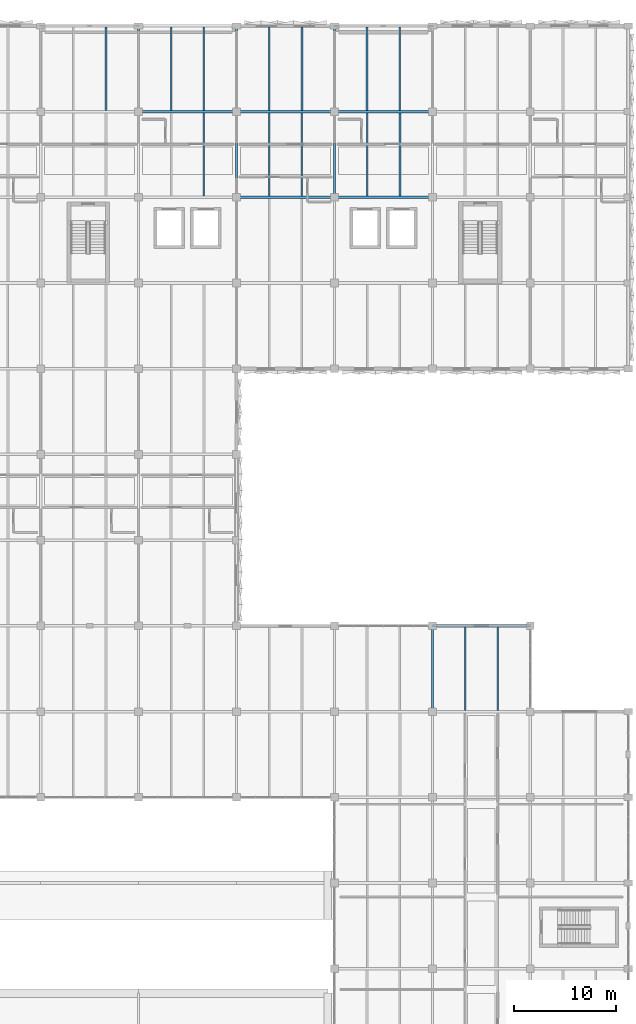
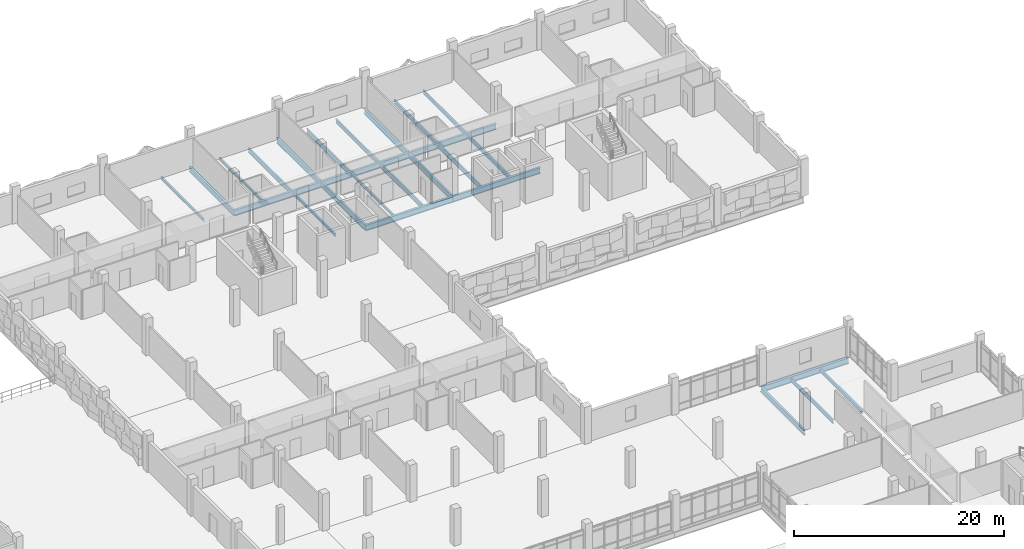
# One storey, part 36 of 86: 26 beams.
"""IFC4 building model written with IfcOpenShell, lengths in metres."""

from ifc_helpers import new_model, si_unit, direction, frame, origin, origin_2d, place, context, subcontext, project, spatial, i_section, extrude, material, material_profile, profile_set, type_object, element, save


model = new_model("IFC4")

# Units and contexts
model_context = context("Model", 3, precision=1e-05, world=origin(), true_north=direction((0.0, 1.0)))
body_context = subcontext(model_context, "Body", "Model", "MODEL_VIEW")
ifc_project = project(units=[si_unit("LENGTHUNIT", "METRE"), si_unit("AREAUNIT", "SQUARE_METRE"), si_unit("VOLUMEUNIT", "CUBIC_METRE"), si_unit("PLANEANGLEUNIT", "RADIAN"), si_unit("MASSUNIT", "GRAM", prefix="KILO")], contexts=[model_context])

# Site, building, storey
site_placement = place(None, origin())
site = spatial("IfcSite", under=ifc_project, at=site_placement, CompositionType="ELEMENT")
building_placement = place(site_placement, origin())
building = spatial("IfcBuilding", under=site, at=building_placement, Name="Oolite Switchyard Hospital", CompositionType="ELEMENT")
storey_placement = place(building_placement, frame((0.0, 0.0, 13.5)))
storey = spatial("IfcBuildingStorey", under=building, at=storey_placement, Name="L03", CompositionType="ELEMENT", Elevation=13.5)

# Beams
ifc_material = material(Name="Steel ASTM A992 Grade 50", Category="steel")
ifc_material_profile_1 = material_profile(ifc_material, i_section(OverallWidth=0.1650390625, OverallDepth=0.31005859375, WebThickness=0.006103515625, FlangeThickness=0.010009765625, at=origin_2d()), Name="W12X26")
ifc_profile_set_1 = profile_set([ifc_material_profile_1], Name="Steel ASTM A992 Grade 50")
beam_type_1 = type_object("IfcBeamType", Name="BM-W12X26", PredefinedType="JOIST", material=ifc_profile_set_1)
beam_1_placement = place(storey_placement, frame((160.0, 126.126953125, -0.429931640625), z_axis=(0.0, 1.0, 0.0), x_axis=(-1.0, 0.0, 0.0)))
element("IfcBeam", 1, at=beam_1_placement, inside=storey, type_object=beam_type_1, Name="L03 Secondary Steel Joist 2657", PredefinedType="JOIST", context=body_context, shape_type="SweptSolid", body=[
    extrude(i_section(OverallWidth=0.1650390625, OverallDepth=0.31005859375, WebThickness=0.006103515625, FlangeThickness=0.010009765625, at=origin_2d()), origin(), (0.0, 0.0, 1.0), 8.14013671875),
])
beam_2_placement = place(storey_placement, frame((169.60009765625, 117.72705078125, -0.429931640625), z_axis=(0.0, 1.0, 0.0), x_axis=(-1.0, 0.0, 0.0)))
element("IfcBeam", 2, at=beam_2_placement, inside=storey, type_object=beam_type_1, Name="L03 Secondary Steel Joist 2675", PredefinedType="JOIST", context=body_context, shape_type="SweptSolid", body=[
    extrude(i_section(OverallWidth=0.1650390625, OverallDepth=0.31005859375, WebThickness=0.006103515625, FlangeThickness=0.010009765625, at=origin_2d()), origin(), (0.0, 0.0, 1.0), 8.14599609375),
])
beam_3_placement = place(storey_placement, frame((166.39990234375, 126.126953125, -0.429931640625), z_axis=(0.0, 1.0, 0.0), x_axis=(-1.0, 0.0, 0.0)))
element("IfcBeam", 3, at=beam_3_placement, inside=storey, type_object=beam_type_1, Name="L03 Secondary Steel Joist 2676", PredefinedType="JOIST", context=body_context, shape_type="SweptSolid", body=[
    extrude(i_section(OverallWidth=0.1650390625, OverallDepth=0.31005859375, WebThickness=0.006103515625, FlangeThickness=0.010009765625, at=origin_2d()), origin(), (0.0, 0.0, 1.0), 8.14013671875),
])
beam_4_placement = place(storey_placement, frame((176.0, 117.72705078125, -0.429931640625), z_axis=(0.0, 1.0, 0.0), x_axis=(-1.0, 0.0, 0.0)))
element("IfcBeam", 4, at=beam_4_placement, inside=storey, type_object=beam_type_1, Name="L03 Secondary Steel Joist 2690", PredefinedType="JOIST", context=body_context, shape_type="SweptSolid", body=[
    extrude(i_section(OverallWidth=0.1650390625, OverallDepth=0.31005859375, WebThickness=0.006103515625, FlangeThickness=0.010009765625, at=origin_2d()), origin(), (0.0, 0.0, 1.0), 8.14599609375),
])
ifc_material_profile_2 = material_profile(ifc_material, i_section(OverallWidth=0.179931640625, OverallDepth=0.4130859375, WebThickness=0.010009765625, FlangeThickness=0.01611328125, at=origin_2d()), Name="W16X50")
ifc_profile_set_2 = profile_set([ifc_material_profile_2], Name="Steel ASTM A992 Grade 50")
beam_type_2 = type_object("IfcBeamType", Name="BM-W16X50", PredefinedType="JOIST", material=ifc_profile_set_2)
beam_5_placement = place(storey_placement, frame((198.39990234375, 67.326904296875, -0.48193359375), z_axis=(0.0, 1.0, 0.0), x_axis=(-1.0, 0.0, 0.0)))
element("IfcBeam", 5, at=beam_5_placement, inside=storey, type_object=beam_type_2, Name="L03 Secondary Steel Joist 2731", PredefinedType="JOIST", context=body_context, shape_type="SweptSolid", body=[
    extrude(i_section(OverallWidth=0.179931640625, OverallDepth=0.4130859375, WebThickness=0.010009765625, FlangeThickness=0.01611328125, at=origin_2d()), origin(), (0.0, 0.0, 1.0), 8.14599609375),
])
ifc_material_profile_3 = material_profile(ifc_material, i_section(OverallWidth=0.153076171875, OverallDepth=0.455078125, WebThickness=0.008056640625, FlangeThickness=0.012939453125, at=origin_2d()), Name="W18X40")
ifc_profile_set_3 = profile_set([ifc_material_profile_3], Name="Steel ASTM A992 Grade 50")
beam_type_3 = type_object("IfcBeamType", Name="BM-W18X40", PredefinedType="JOIST", material=ifc_profile_set_3)
beam_6_placement = place(storey_placement, frame((188.800048828125, 126.126953125, -0.501953125), z_axis=(0.0, 1.0, 0.0), x_axis=(-1.0, 0.0, 0.0)))
element("IfcBeam", 6, at=beam_6_placement, inside=storey, type_object=beam_type_3, Name="L03 Secondary Steel Joist 2715", PredefinedType="JOIST", context=body_context, shape_type="SweptSolid", body=[
    extrude(i_section(OverallWidth=0.153076171875, OverallDepth=0.455078125, WebThickness=0.008056640625, FlangeThickness=0.012939453125, at=origin_2d()), origin(), (0.0, 0.0, 1.0), 8.14013671875),
])
beam_7_placement = place(storey_placement, frame((195.199951171875, 67.326904296875, -0.501953125), z_axis=(0.0, 1.0, 0.0), x_axis=(-1.0, 0.0, 0.0)))
element("IfcBeam", 7, at=beam_7_placement, inside=storey, type_object=beam_type_3, Name="L03 Secondary Steel Joist 2730", PredefinedType="JOIST", context=body_context, shape_type="SweptSolid", body=[
    extrude(i_section(OverallWidth=0.153076171875, OverallDepth=0.455078125, WebThickness=0.008056640625, FlangeThickness=0.012939453125, at=origin_2d()), origin(), (0.0, 0.0, 1.0), 8.14599609375),
])
ifc_material_profile_4 = material_profile(ifc_material, i_section(OverallWidth=0.19091796875, OverallDepth=0.4599609375, WebThickness=0.010009765625, FlangeThickness=0.01611328125, at=origin_2d()), Name="W18X55")
ifc_profile_set_4 = profile_set([ifc_material_profile_4], Name="Steel ASTM A992 Grade 50")
beam_type_4 = type_object("IfcBeamType", Name="BM-W18X55", PredefinedType="JOIST", material=ifc_profile_set_4)
beam_8_placement = place(storey_placement, frame((179.199951171875, 126.126953125, -0.5048828125), z_axis=(0.0, 1.0, 0.0), x_axis=(-1.0, 0.0, 0.0)))
element("IfcBeam", 8, at=beam_8_placement, inside=storey, type_object=beam_type_4, Name="L03 Secondary Steel Joist 2693", PredefinedType="JOIST", context=body_context, shape_type="SweptSolid", body=[
    extrude(i_section(OverallWidth=0.19091796875, OverallDepth=0.4599609375, WebThickness=0.010009765625, FlangeThickness=0.01611328125, at=origin_2d()), origin(), (0.0, 0.0, 1.0), 8.14013671875),
])
beam_9_placement = place(storey_placement, frame((188.800048828125, 117.72705078125, -0.5048828125), z_axis=(0.0, 1.0, 0.0), x_axis=(-1.0, 0.0, 0.0)))
element("IfcBeam", 9, at=beam_9_placement, inside=storey, type_object=beam_type_4, Name="L03 Secondary Steel Joist 2713", PredefinedType="JOIST", context=body_context, shape_type="SweptSolid", body=[
    extrude(i_section(OverallWidth=0.19091796875, OverallDepth=0.4599609375, WebThickness=0.010009765625, FlangeThickness=0.01611328125, at=origin_2d()), origin(), (0.0, 0.0, 1.0), 8.14599609375),
])
beam_10_placement = place(storey_placement, frame((185.60009765625, 126.126953125, -0.5048828125), z_axis=(0.0, 1.0, 0.0), x_axis=(-1.0, 0.0, 0.0)))
element("IfcBeam", 10, at=beam_10_placement, inside=storey, type_object=beam_type_4, Name="L03 Secondary Steel Joist 2714", PredefinedType="JOIST", context=body_context, shape_type="SweptSolid", body=[
    extrude(i_section(OverallWidth=0.19091796875, OverallDepth=0.4599609375, WebThickness=0.010009765625, FlangeThickness=0.01611328125, at=origin_2d()), origin(), (0.0, 0.0, 1.0), 8.14013671875),
])
ifc_material_profile_5 = material_profile(ifc_material, i_section(OverallWidth=0.166015625, OverallDepth=0.529052734375, WebThickness=0.010009765625, FlangeThickness=0.013916015625, at=origin_2d()), Name="W21X50")
ifc_profile_set_5 = profile_set([ifc_material_profile_5], Name="Steel ASTM A992 Grade 50")
beam_type_5 = type_object("IfcBeamType", Name="BM-W21X50", PredefinedType="JOIST", material=ifc_profile_set_5)
beam_11_placement = place(storey_placement, frame((169.60009765625, 126.126953125, -0.5400390625), z_axis=(0.0, 1.0, 0.0), x_axis=(-1.0, 0.0, 0.0)))
element("IfcBeam", 11, at=beam_11_placement, inside=storey, type_object=beam_type_5, Name="L03 Secondary Steel Joist 2677", PredefinedType="JOIST", context=body_context, shape_type="SweptSolid", body=[
    extrude(i_section(OverallWidth=0.166015625, OverallDepth=0.529052734375, WebThickness=0.010009765625, FlangeThickness=0.013916015625, at=origin_2d()), origin(), (0.0, 0.0, 1.0), 8.14013671875),
])
beam_12_placement = place(storey_placement, frame((179.199951171875, 117.72705078125, -0.5400390625), z_axis=(0.0, 1.0, 0.0), x_axis=(-1.0, 0.0, 0.0)))
element("IfcBeam", 12, at=beam_12_placement, inside=storey, type_object=beam_type_5, Name="L03 Secondary Steel Joist 2691", PredefinedType="JOIST", context=body_context, shape_type="SweptSolid", body=[
    extrude(i_section(OverallWidth=0.166015625, OverallDepth=0.529052734375, WebThickness=0.010009765625, FlangeThickness=0.013916015625, at=origin_2d()), origin(), (0.0, 0.0, 1.0), 8.14599609375),
])
beam_13_placement = place(storey_placement, frame((176.0, 126.126953125, -0.5400390625), z_axis=(0.0, 1.0, 0.0), x_axis=(-1.0, 0.0, 0.0)))
element("IfcBeam", 13, at=beam_13_placement, inside=storey, type_object=beam_type_5, Name="L03 Secondary Steel Joist 2692", PredefinedType="JOIST", context=body_context, shape_type="SweptSolid", body=[
    extrude(i_section(OverallWidth=0.166015625, OverallDepth=0.529052734375, WebThickness=0.010009765625, FlangeThickness=0.013916015625, at=origin_2d()), origin(), (0.0, 0.0, 1.0), 8.14013671875),
])
beam_14_placement = place(storey_placement, frame((185.60009765625, 117.72705078125, -0.5400390625), z_axis=(0.0, 1.0, 0.0), x_axis=(-1.0, 0.0, 0.0)))
element("IfcBeam", 14, at=beam_14_placement, inside=storey, type_object=beam_type_5, Name="L03 Secondary Steel Joist 2712", PredefinedType="JOIST", context=body_context, shape_type="SweptSolid", body=[
    extrude(i_section(OverallWidth=0.166015625, OverallDepth=0.529052734375, WebThickness=0.010009765625, FlangeThickness=0.013916015625, at=origin_2d()), origin(), (0.0, 0.0, 1.0), 8.14599609375),
])
ifc_material_profile_6 = material_profile(ifc_material, i_section(OverallWidth=0.22900390625, OverallDepth=0.612060546875, WebThickness=0.011962890625, FlangeThickness=0.02001953125, at=origin_2d()), Name="W24X84")
ifc_profile_set_6 = profile_set([ifc_material_profile_6], Name="Steel ASTM A992 Grade 50")
beam_type_6 = type_object("IfcBeamType", Name="BM-W24X84", PredefinedType="BEAM", material=ifc_profile_set_6)
for number, where, z_axis, x_axis, name in (
    (15, (163.199951171875, 126.0, -0.5810546875), (0.0, 1.0, 0.0), (-1.0, 0.0, 0.0), "L03 Y-Girder 2334"),
    (16, (172.800048828125, 117.60009765625, -0.5810546875), (0.0, 1.0, 0.0), (-1.0, 0.0, 0.0), "L03 Y-Girder 2344"),
    (17, (172.800048828125, 126.0, -0.5810546875), (0.0, 1.0, 0.0), (-1.0, 0.0, 0.0), "L03 Y-Girder 2345"),
    (18, (182.39990234375, 117.60009765625, -0.5810546875), (0.0, 1.0, 0.0), (-1.0, 0.0, 0.0), "L03 Y-Girder 2358"),
    (19, (182.39990234375, 126.0, -0.5810546875), (0.0, 1.0, 0.0), (-1.0, 0.0, 0.0), "L03 Y-Girder 2359"),
):
    element("IfcBeam", number, at=place(storey_placement, frame(where, z_axis=z_axis, x_axis=x_axis)), inside=storey, type_object=beam_type_6, Name=name, PredefinedType="BEAM", context=body_context, shape_type="SweptSolid", body=[
        extrude(i_section(OverallWidth=0.22900390625, OverallDepth=0.612060546875, WebThickness=0.011962890625, FlangeThickness=0.02001953125, at=origin_2d()), origin(), (0.0, 0.0, 1.0), 8.39990234375),
    ])
beam_15_placement = place(storey_placement, frame((192.0, 67.199951171875, -0.5810546875), z_axis=(0.0, 1.0, 0.0), x_axis=(-1.0, 0.0, 0.0)))
element("IfcBeam", 20, at=beam_15_placement, inside=storey, type_object=beam_type_6, Name="L03 Y-Girder 2367", PredefinedType="BEAM", context=body_context, shape_type="SweptSolid", body=[
    extrude(i_section(OverallWidth=0.22900390625, OverallDepth=0.612060546875, WebThickness=0.011962890625, FlangeThickness=0.02001953125, at=origin_2d()), origin(), (0.0, 0.0, 1.0), 8.400146484375),
])
ifc_material_profile_7 = material_profile(ifc_material, i_section(OverallWidth=0.25390625, OverallDepth=0.68408203125, WebThickness=0.011962890625, FlangeThickness=0.01904296875, at=origin_2d()), Name="W27X94")
ifc_profile_set_7 = profile_set([ifc_material_profile_7], Name="Steel ASTM A992 Grade 50")
beam_type_7 = type_object("IfcBeamType", Name="BM-W27X94", PredefinedType="BEAM", material=ifc_profile_set_7)
beam_16_placement = place(storey_placement, frame((192.0, 75.60009765625, -0.616943359375), z_axis=(1.0, 0.0, 0.0), x_axis=(0.0, 1.0, 0.0)))
element("IfcBeam", 21, at=beam_16_placement, inside=storey, type_object=beam_type_7, Name="L03 X-Girder 2037", PredefinedType="BEAM", context=body_context, shape_type="SweptSolid", body=[
    extrude(i_section(OverallWidth=0.25390625, OverallDepth=0.68408203125, WebThickness=0.011962890625, FlangeThickness=0.01904296875, at=origin_2d()), origin(), (0.0, 0.0, 1.0), 9.60009765625),
])
beam_17_placement = place(storey_placement, frame((172.800048828125, 117.60009765625, -0.616943359375), z_axis=(1.0, 0.0, 0.0), x_axis=(0.0, 1.0, 0.0)))
element("IfcBeam", 22, at=beam_17_placement, inside=storey, type_object=beam_type_7, Name="L03 X-Girder 2129", PredefinedType="BEAM", context=body_context, shape_type="SweptSolid", body=[
    extrude(i_section(OverallWidth=0.25390625, OverallDepth=0.68408203125, WebThickness=0.011962890625, FlangeThickness=0.01904296875, at=origin_2d()), origin(), (0.0, 0.0, 1.0), 9.599853515625),
])
for number, where, z_axis, x_axis, name in (
    (23, (182.39990234375, 117.60009765625, -0.616943359375), (1.0, 0.0, 0.0), (0.0, 1.0, 0.0), "L03 X-Girder 2130"),
    (24, (163.199951171875, 126.0, -0.616943359375), (1.0, 0.0, 0.0), (0.0, 1.0, 0.0), "L03 X-Girder 2144"),
):
    element("IfcBeam", number, at=place(storey_placement, frame(where, z_axis=z_axis, x_axis=x_axis)), inside=storey, type_object=beam_type_7, Name=name, PredefinedType="BEAM", context=body_context, shape_type="SweptSolid", body=[
        extrude(i_section(OverallWidth=0.25390625, OverallDepth=0.68408203125, WebThickness=0.011962890625, FlangeThickness=0.01904296875, at=origin_2d()), origin(), (0.0, 0.0, 1.0), 9.60009765625),
    ])
beam_18_placement = place(storey_placement, frame((172.800048828125, 126.0, -0.616943359375), z_axis=(1.0, 0.0, 0.0), x_axis=(0.0, 1.0, 0.0)))
element("IfcBeam", 25, at=beam_18_placement, inside=storey, type_object=beam_type_7, Name="L03 X-Girder 2145", PredefinedType="BEAM", context=body_context, shape_type="SweptSolid", body=[
    extrude(i_section(OverallWidth=0.25390625, OverallDepth=0.68408203125, WebThickness=0.011962890625, FlangeThickness=0.01904296875, at=origin_2d()), origin(), (0.0, 0.0, 1.0), 9.599853515625),
])
beam_19_placement = place(storey_placement, frame((182.39990234375, 126.0, -0.616943359375), z_axis=(1.0, 0.0, 0.0), x_axis=(0.0, 1.0, 0.0)))
element("IfcBeam", 26, at=beam_19_placement, inside=storey, type_object=beam_type_7, Name="L03 X-Girder 2146", PredefinedType="BEAM", context=body_context, shape_type="SweptSolid", body=[
    extrude(i_section(OverallWidth=0.25390625, OverallDepth=0.68408203125, WebThickness=0.011962890625, FlangeThickness=0.01904296875, at=origin_2d()), origin(), (0.0, 0.0, 1.0), 9.60009765625),
])

save(model, "model.ifc")
